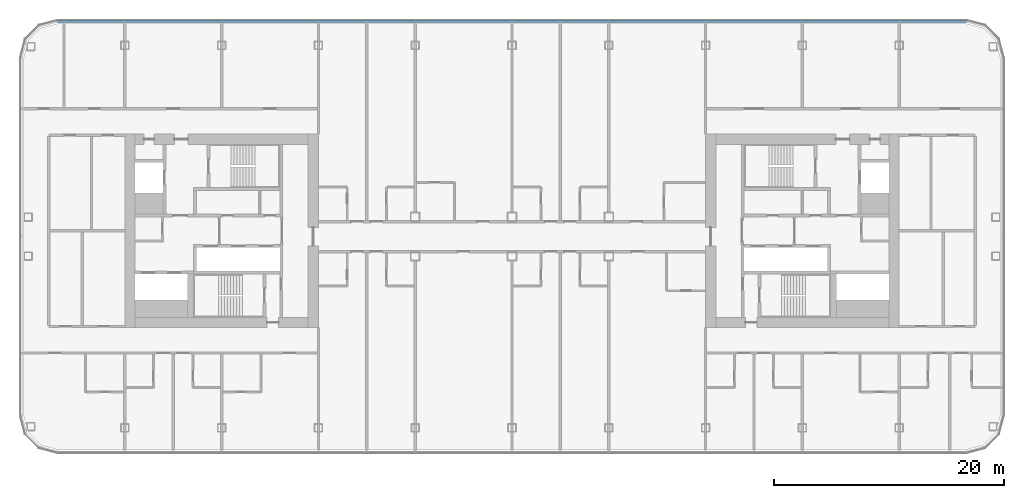
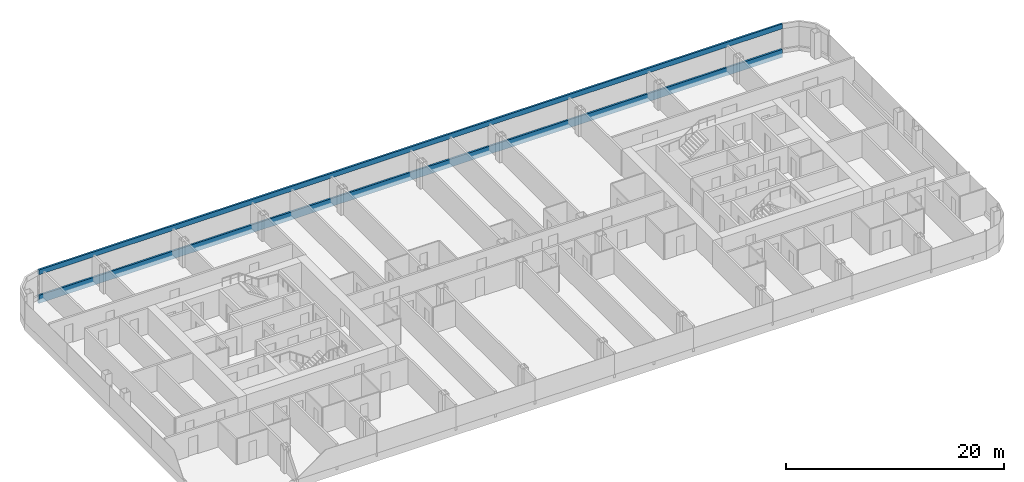
# One storey, part 7 of 26: 2 members, 1 element without a shape of its own.
"""IFC4 building model written with IfcOpenShell, lengths in metres."""

from ifc_helpers import new_model, si_unit, direction, frame, origin, origin_2d, place, context, subcontext, project, spatial, rectangle, extrude, material, layer, layer_set, material_profile, profile_set, type_object, element, aggregate, save


model = new_model("IFC4")

# Units and contexts
model_context = context("Model", 3, precision=1e-05, world=origin(), true_north=direction((0.0, 1.0)))
body_context = subcontext(model_context, "Body", "Model", "MODEL_VIEW")
ifc_project = project(units=[si_unit("LENGTHUNIT", "METRE"), si_unit("AREAUNIT", "SQUARE_METRE"), si_unit("VOLUMEUNIT", "CUBIC_METRE"), si_unit("PLANEANGLEUNIT", "RADIAN"), si_unit("MASSUNIT", "GRAM", prefix="KILO")], contexts=[model_context])

# Site, building, storey
site_placement = place(None, origin())
site = spatial("IfcSite", under=ifc_project, at=site_placement, CompositionType="ELEMENT")
building_placement = place(site_placement, origin())
building = spatial("IfcBuilding", under=site, at=building_placement, Name="Hakoniwa Tower and Hamabe Station Hall", CompositionType="ELEMENT")
storey_placement = place(building_placement, frame((0.0, 0.0, 172.60009765625)))
storey = spatial("IfcBuildingStorey", under=building, at=storey_placement, Name="L49", CompositionType="ELEMENT", Elevation=172.60009765625)

# Curtain wall, members
ifc_material_1 = material(Name="Dark low-e laminated glass", Category="glass")
ifc_layer = layer(ifc_material_1, 0.199951171875)
ifc_layer_set = layer_set([ifc_layer], Name="CW-1 UNITISED GUEST")
curtain_wall_type = type_object("IfcCurtainWallType", Name="CW-1 UNITISED GUEST", PredefinedType="NOTDEFINED", material=ifc_layer_set)
curtain_wall_placement = place(storey_placement, origin())
curtain_wall = element("IfcCurtainWall", 1, at=curtain_wall_placement, inside=storey, type_object=curtain_wall_type, Name="CW-1 curtain wall", PredefinedType="NOTDEFINED")
ifc_material_2 = material(Name="Aluminium 6063-T5 black anodised", Category="aluminium")
ifc_material_profile_1 = material_profile(ifc_material_2, rectangle(XDim=0.199951171875, YDim=0.550048828125, at=origin_2d()), Name="CW HEAD BAND 550X200")
ifc_profile_set_1 = profile_set([ifc_material_profile_1], Name="Aluminium 6063-T5 black anodised")
member_type_1 = type_object("IfcMemberType", Name="CW HEAD BAND 550X200", PredefinedType="USERDEFINED", material=ifc_profile_set_1)
member_1_placement = place(storey_placement, frame((39.439453125, 18.199951171875, 2.9248046875), z_axis=(-1.0, 0.0, 0.0), x_axis=(0.0, -1.0, 0.0)))
member_1 = element("IfcMember", 2, at=member_1_placement, type_object=member_type_1, Name="CW-1 transom", ObjectType="TRANSOM", PredefinedType="USERDEFINED", context=body_context, shape_type="SweptSolid", body=[
    extrude(rectangle(XDim=0.199951171875, YDim=0.550048828125, at=origin_2d()), origin(), (0.0, 0.0, 1.0), 78.87890625),
])
ifc_material_3 = material(Name="Aluminium 6063-T5 black anodised", Category="aluminium")
ifc_material_profile_2 = material_profile(ifc_material_3, rectangle(XDim=0.199951171875, YDim=0.89990234375, at=origin_2d()), Name="CW SLAB-EDGE BAND 900X200")
ifc_profile_set_2 = profile_set([ifc_material_profile_2], Name="Aluminium 6063-T5 black anodised")
member_type_2 = type_object("IfcMemberType", Name="CW SLAB-EDGE BAND 900X200", PredefinedType="USERDEFINED", material=ifc_profile_set_2)
member_2_placement = place(storey_placement, frame((39.439453125, 18.199951171875, -0.10009765625), z_axis=(-1.0, 0.0, 0.0), x_axis=(0.0, -1.0, 0.0)))
member_2 = element("IfcMember", 3, at=member_2_placement, type_object=member_type_2, Name="CW-1 transom", ObjectType="TRANSOM", PredefinedType="USERDEFINED", context=body_context, shape_type="SweptSolid", body=[
    extrude(rectangle(XDim=0.199951171875, YDim=0.89990234375, at=origin_2d()), origin(), (0.0, 0.0, 1.0), 78.87890625),
])
aggregate(curtain_wall, [member_2, member_1])

save(model, "model.ifc")
